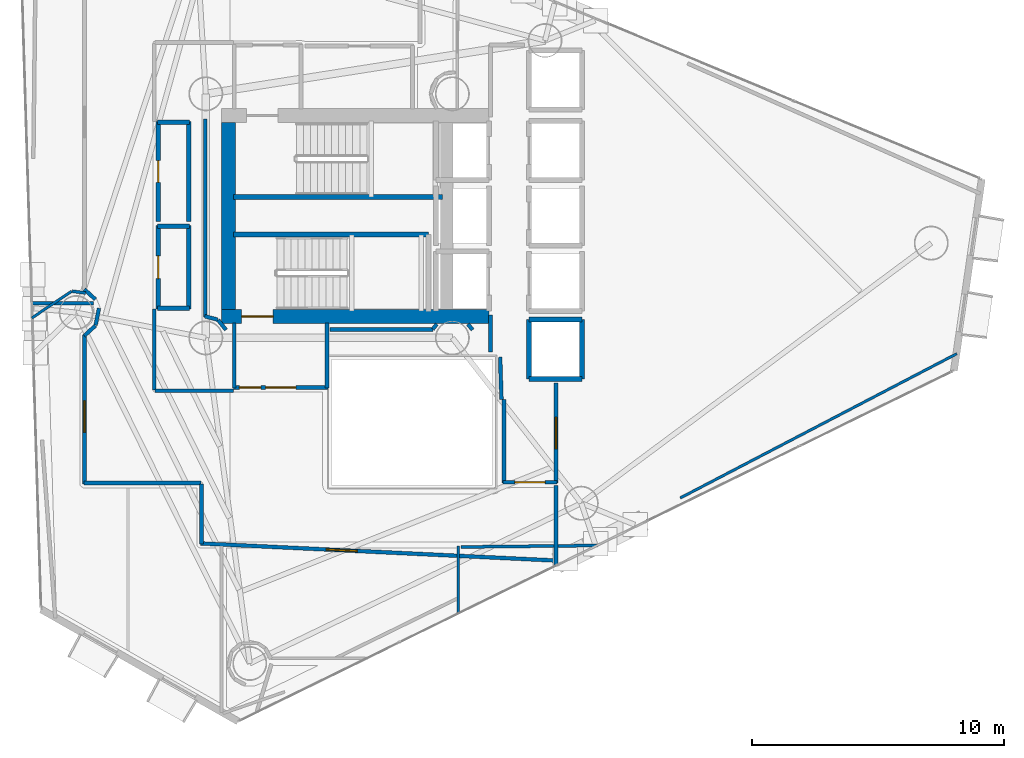
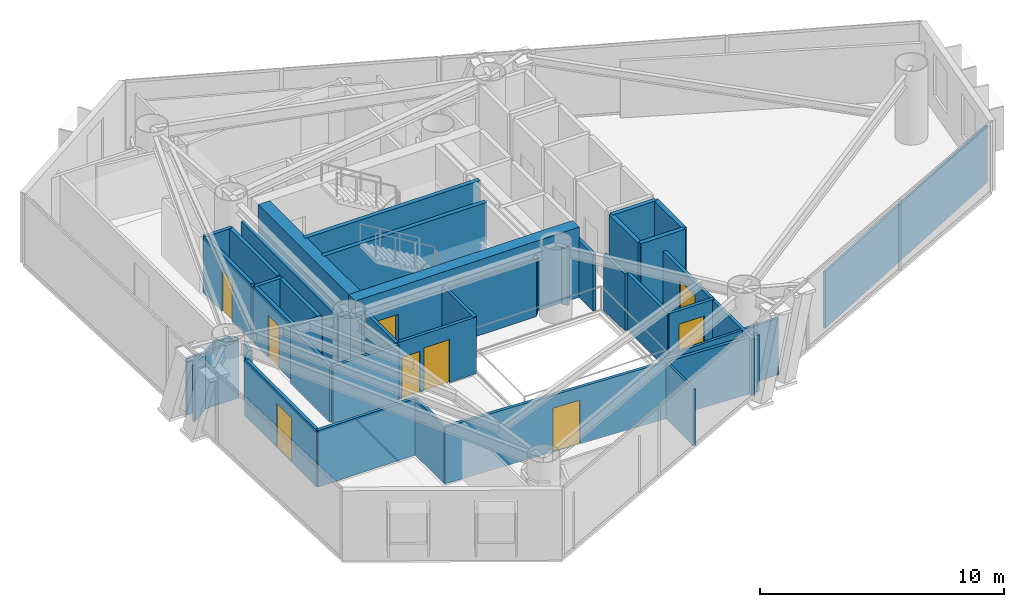
# One storey, part 19 of 23: 45 walls, 9 doors, 9 openings.
"""IFC4 building model written with IfcOpenShell, lengths in metres."""

from ifc_helpers import new_model, si_unit, direction, frame, frame_2d, origin, place, context, subcontext, project, spatial, rectangle, extrude, material, layer, layer_set, type_object, element, fill, save


model = new_model("IFC4")

# Units and contexts
model_context = context("Model", 3, precision=1e-05, world=origin(), true_north=direction((0.0, 1.0)))
body_context = subcontext(model_context, "Body", "Model", "MODEL_VIEW")
ifc_project = project(units=[si_unit("LENGTHUNIT", "METRE"), si_unit("AREAUNIT", "SQUARE_METRE"), si_unit("VOLUMEUNIT", "CUBIC_METRE"), si_unit("PLANEANGLEUNIT", "RADIAN"), si_unit("MASSUNIT", "GRAM", prefix="KILO")], contexts=[model_context])

# Site, building, storey
site_placement = place(None, origin())
site = spatial("IfcSite", under=ifc_project, at=site_placement, CompositionType="ELEMENT")
building_placement = place(site_placement, origin())
building = spatial("IfcBuilding", under=site, at=building_placement, Name="Qianvela Tower", CompositionType="ELEMENT")
storey_placement = place(building_placement, frame((0.0, 0.0, 162.39990234375)))
storey = spatial("IfcBuildingStorey", under=building, at=storey_placement, Name="L41", CompositionType="ELEMENT", Elevation=162.39990234375)

# Wall, opening, door
ifc_material_1 = material(Name="Concrete C60", Category="concrete")
ifc_layer_1 = layer(ifc_material_1, 0.550048828125)
ifc_layer_set_1 = layer_set([ifc_layer_1], Name="Concrete C60")
wall_type_1 = type_object("IfcWallType", Name="WT-CORE-550", PredefinedType="SHEAR", material=ifc_layer_set_1)
wall_1_placement = place(storey_placement, frame((29.22998046875, 24.705078125, 0.0), z_axis=(0.0, 0.0, 1.0), x_axis=(1.0, 0.0, 0.0)))
wall_1 = element("IfcWall", 1, at=wall_1_placement, inside=storey, type_object=wall_type_1, Name="L41 South Core Shear Wall", PredefinedType="SHEAR", context=body_context, shape_type="SweptSolid", body=[
    extrude(rectangle(XDim=10.6201171875, YDim=0.550048828125, at=frame_2d((5.31005859375, 0.0))), origin(), (0.0, 0.0, 1.0), 3.52001953125),
])
opening_1_placement = place(wall_1_placement, frame((0.794921875, 0.0, 0.0)))
opening_1 = element("IfcOpeningElement", 2, at=opening_1_placement, cuts=wall_1, Name="Opening D-ST1", PredefinedType="OPENING", context=body_context, shape_type="SweptSolid", body=[
    extrude(rectangle(XDim=1.25, YDim=2.14990234375, at=frame_2d((0.625, 1.074951171875))), frame((0.0, 0.284912109375, 0.0), z_axis=(0.0, -1.0, 0.0), x_axis=(1.0, 0.0, 0.0)), (0.0, 0.0, 1.0), 0.570068359375),
])
ifc_material_2 = material(Name="Galvanised Fire Steel Q355B", Category="steel")
door_type_1 = type_object("IfcDoorType", Name="DT-STAIR-FD90", OperationType="NOTDEFINED", PredefinedType="DOOR", material=ifc_material_2)
door_1_placement = place(opening_1_placement, origin())
door_1 = element("IfcDoor", 3, at=door_1_placement, inside=storey, type_object=door_type_1, Name="L41 Stair ST-2 Exit Door", OperationType="SINGLE_SWING_LEFT", OverallHeight=2.14990234375, OverallWidth=1.25, PredefinedType="DOOR", context=body_context, shape_type="SweptSolid", body=[
    extrude(rectangle(XDim=1.25, YDim=2.14990234375, at=frame_2d((0.625, 1.074951171875))), frame((0.0, 0.02490234375, 0.0), z_axis=(0.0, -1.0, 0.0), x_axis=(1.0, 0.0, 0.0)), (0.0, 0.0, 1.0), 0.050048828125),
])
fill(opening_1, door_1)

# Wall
wall_2_placement = place(storey_placement, frame((29.5048828125, 24.97998046875, 0.0), z_axis=(0.0, 0.0, 1.0), x_axis=(0.0, 1.0, 0.0)))
element("IfcWall", 4, at=wall_2_placement, inside=storey, type_object=wall_type_1, Name="L41 West Core Shear Wall", PredefinedType="SHEAR", context=body_context, shape_type="SweptSolid", body=[
    extrude(rectangle(XDim=7.43994140625, YDim=0.550048828125, at=frame_2d((3.719970703125, 0.0))), origin(), (0.0, 0.0, 1.0), 3.52001953125),
])

# Wall, openings, doors
ifc_material_3 = material(Name="Fire-Rated Acoustic Gypsum Board")
ifc_layer_2 = layer(ifc_material_3, 0.14990234375)
ifc_layer_set_2 = layer_set([ifc_layer_2], Name="Fire-Rated Acoustic Gypsum Board")
wall_type_2 = type_object("IfcWallType", Name="WT-CORR-150", PredefinedType="PARTITIONING", material=ifc_layer_set_2)
wall_3_placement = place(storey_placement, frame((33.449951171875, 21.881103515625, 0.0), z_axis=(0.0, 0.0, 1.0), x_axis=(-1.0, 0.0, 0.0)))
wall_3 = element("IfcWall", 5, at=wall_3_placement, inside=storey, type_object=wall_type_2, Name="L41 Partition 5", PredefinedType="PARTITIONING", context=body_context, shape_type="SweptSolid", body=[
    extrude(rectangle(XDim=3.75, YDim=0.14990234375, at=frame_2d((1.875, 0.0))), origin(), (0.0, 0.0, 1.0), 2.840087890625),
])
opening_2_placement = place(wall_3_placement, frame((1.27490234375, 0.0, 0.0)))
opening_2 = element("IfcOpeningElement", 6, at=opening_2_placement, cuts=wall_3, Name="Opening D-LB1", PredefinedType="OPENING", context=body_context, shape_type="SweptSolid", body=[
    extrude(rectangle(XDim=1.199951171875, YDim=2.14990234375, at=frame_2d((0.60009765625, 1.074951171875))), frame((0.0, 0.0849609375, 0.0), z_axis=(0.0, -1.0, 0.0), x_axis=(1.0, 0.0, 0.0)), (0.0, 0.0, 1.0), 0.169921875),
])
opening_3_placement = place(wall_3_placement, frame((2.659912109375, 0.0, 0.0)))
opening_3 = element("IfcOpeningElement", 7, at=opening_3_placement, cuts=wall_3, Name="Opening D-LB2", PredefinedType="OPENING", context=body_context, shape_type="SweptSolid", body=[
    extrude(rectangle(XDim=0.860107421875, YDim=2.050048828125, at=frame_2d((0.43017578125, 1.02490234375))), frame((0.0, 0.0849609375, 0.0), z_axis=(0.0, -1.0, 0.0), x_axis=(1.0, 0.0, 0.0)), (0.0, 0.0, 1.0), 0.169921875),
])
ifc_material_4 = material(Name="Glazed Fire-Rated Steel Frame", Category="steel")
door_type_2 = type_object("IfcDoorType", Name="DT-LOBBY-FD90", OperationType="NOTDEFINED", PredefinedType="DOOR", material=ifc_material_4)
door_2_placement = place(opening_2_placement, origin())
door_2 = element("IfcDoor", 8, at=door_2_placement, inside=storey, type_object=door_type_2, Name="L41 Door L41 Firefighting Lobby South to L41 Floor Corridor", OperationType="SINGLE_SWING_RIGHT", OverallHeight=2.14990234375, OverallWidth=1.199951171875, PredefinedType="DOOR", context=body_context, shape_type="SweptSolid", body=[
    extrude(rectangle(XDim=1.199951171875, YDim=2.14990234375, at=frame_2d((0.60009765625, 1.074951171875))), frame((0.0, 0.02490234375, 0.0), z_axis=(0.0, -1.0, 0.0), x_axis=(1.0, 0.0, 0.0)), (0.0, 0.0, 1.0), 0.050048828125),
])
fill(opening_2, door_2)
ifc_material_5 = material(Name="Insulated Steel Fire Door Q355B", Category="steel")
door_type_3 = type_object("IfcDoorType", Name="DT-LOBBY-FD90-860", OperationType="NOTDEFINED", PredefinedType="DOOR", material=ifc_material_5)
door_3_placement = place(opening_3_placement, origin())
door_3 = element("IfcDoor", 9, at=door_3_placement, inside=storey, type_object=door_type_3, Name="L41 Door L41 Firefighting Lobby South to L41 Floor Corridor", OperationType="SINGLE_SWING_RIGHT", OverallHeight=2.050048828125, OverallWidth=0.860107421875, PredefinedType="DOOR", context=body_context, shape_type="SweptSolid", body=[
    extrude(rectangle(XDim=0.860107421875, YDim=2.050048828125, at=frame_2d((0.43017578125, 1.02490234375))), frame((0.0, 0.02490234375, 0.0), z_axis=(0.0, -1.0, 0.0), x_axis=(1.0, 0.0, 0.0)), (0.0, 0.0, 1.0), 0.050048828125),
])
fill(opening_3, door_3)

# Walls
for number, where, z_axis, x_axis, name in (
    (10, (29.73095703125, 21.85009765625, 0.0), (0.0, 0.0, 1.0), (0.0, 1.0, 0.0), "L41 Partition 6"),
    (11, (33.4189453125, 24.44189453125, 0.0), (0.0, 0.0, 1.0), (0.0, -1.0, 0.0), "L41 Partition 8"),
):
    element("IfcWall", number, at=place(storey_placement, frame(where, z_axis=z_axis, x_axis=x_axis)), inside=storey, type_object=wall_type_2, Name=name, PredefinedType="PARTITIONING", context=body_context, shape_type="SweptSolid", body=[
        extrude(rectangle(XDim=2.591796875, YDim=0.14990234375, at=frame_2d((1.2958984375, 0.0))), origin(), (0.0, 0.0, 1.0), 2.840087890625),
    ])
wall_4_placement = place(storey_placement, frame((40.35107421875, 21.40087890625, 0.0), z_axis=(0.0, 0.0, 1.0), x_axis=(-0.031058045979, 0.999517582527, 0.0)))
element("IfcWall", 12, at=wall_4_placement, inside=storey, type_object=wall_type_2, Name="L41 Partition 9", PredefinedType="PARTITIONING", context=body_context, shape_type="SweptSolid", body=[
    extrude(rectangle(XDim=1.68212890625, YDim=0.14990234375, at=frame_2d((0.841064453125, 0.0))), origin(), (0.0, 0.0, 1.0), 2.840087890625),
])
wall_5_placement = place(storey_placement, frame((39.910888671875, 23.280029296875, 0.0), z_axis=(0.0, 0.0, 1.0), x_axis=(0.0, 1.0, 0.0)))
element("IfcWall", 13, at=wall_5_placement, inside=storey, type_object=wall_type_2, Name="L41 Partition 10", PredefinedType="PARTITIONING", context=body_context, shape_type="SweptSolid", body=[
    extrude(rectangle(XDim=1.47998046875, YDim=0.14990234375, at=frame_2d((0.739990234375, 0.0))), origin(), (0.0, 0.0, 1.0), 2.840087890625),
])

# Wall, opening, door
wall_6_placement = place(storey_placement, frame((42.51904296875, 22.050048828125, 0.0), z_axis=(0.0, 0.0, 1.0), x_axis=(0.0, -1.0, 0.0)))
wall_6 = element("IfcWall", 14, at=wall_6_placement, inside=storey, type_object=wall_type_2, Name="L41 Partition 17", PredefinedType="PARTITIONING", context=body_context, shape_type="SweptSolid", body=[
    extrude(rectangle(XDim=3.969970703125, YDim=0.14990234375, at=frame_2d((1.98486328125, 0.0))), origin(), (0.0, 0.0, 1.0), 2.840087890625),
])
opening_4_placement = place(wall_6_placement, frame((1.360107421875, 0.0, 0.0)))
opening_4 = element("IfcOpeningElement", 15, at=opening_4_placement, cuts=wall_6, Name="Opening D-LG1", PredefinedType="OPENING", context=body_context, shape_type="SweptSolid", body=[
    extrude(rectangle(XDim=1.25, YDim=2.199951171875, at=frame_2d((0.625, 1.10009765625))), frame((0.0, 0.0849609375, 0.0), z_axis=(0.0, -1.0, 0.0), x_axis=(1.0, 0.0, 0.0)), (0.0, 0.0, 1.0), 0.169921875),
])
ifc_material_6 = material(Name="Anodised Aluminium Acoustic Glass Door", Category="aluminium")
door_type_4 = type_object("IfcDoorType", Name="DT-LOUNGE-1250", OperationType="NOTDEFINED", PredefinedType="DOOR", material=ifc_material_6)
door_4_placement = place(opening_4_placement, origin())
door_4 = element("IfcDoor", 16, at=door_4_placement, inside=storey, type_object=door_type_4, Name="L41 Door Media Practice Cinema L41-03 to L41 Lift Lobby", OperationType="SINGLE_SWING_LEFT", OverallHeight=2.199951171875, OverallWidth=1.25, PredefinedType="DOOR", context=body_context, shape_type="SweptSolid", body=[
    extrude(rectangle(XDim=1.25, YDim=2.199951171875, at=frame_2d((0.625, 1.10009765625))), frame((0.0, 0.02490234375, 0.0), z_axis=(0.0, -1.0, 0.0), x_axis=(1.0, 0.0, 0.0)), (0.0, 0.0, 1.0), 0.050048828125),
])
fill(opening_4, door_4)

wall_7_placement = place(storey_placement, frame((42.550048828125, 18.111083984375, 0.0), z_axis=(0.0, 0.0, 1.0), x_axis=(-1.0, 0.0, 0.0)))
wall_7 = element("IfcWall", 17, at=wall_7_placement, inside=storey, type_object=wall_type_2, Name="L41 Partition 18", PredefinedType="PARTITIONING", context=body_context, shape_type="SweptSolid", body=[
    extrude(rectangle(XDim=2.130126953125, YDim=0.14990234375, at=frame_2d((1.06494140625, 0.0))), origin(), (0.0, 0.0, 1.0), 2.840087890625),
])
opening_5_placement = place(wall_7_placement, frame((0.465087890625, 0.0, 0.0)))
opening_5 = element("IfcOpeningElement", 18, at=opening_5_placement, cuts=wall_7, Name="Opening D-LB1", PredefinedType="OPENING", context=body_context, shape_type="SweptSolid", body=[
    extrude(rectangle(XDim=1.199951171875, YDim=2.14990234375, at=frame_2d((0.60009765625, 1.074951171875))), frame((0.0, 0.0849609375, 0.0), z_axis=(0.0, -1.0, 0.0), x_axis=(1.0, 0.0, 0.0)), (0.0, 0.0, 1.0), 0.169921875),
])
door_5_placement = place(opening_5_placement, origin())
door_5 = element("IfcDoor", 19, at=door_5_placement, inside=storey, type_object=door_type_2, Name="L41 Door L41 Lift Lobby to L41 Floor Corridor", OperationType="SINGLE_SWING_LEFT", OverallHeight=2.14990234375, OverallWidth=1.199951171875, PredefinedType="DOOR", context=body_context, shape_type="SweptSolid", body=[
    extrude(rectangle(XDim=1.199951171875, YDim=2.14990234375, at=frame_2d((0.60009765625, 1.074951171875))), frame((0.0, 0.02490234375, 0.0), z_axis=(0.0, -1.0, 0.0), x_axis=(1.0, 0.0, 0.0)), (0.0, 0.0, 1.0), 0.050048828125),
])
fill(opening_5, door_5)

# Walls
wall_8_placement = place(storey_placement, frame((40.450927734375, 18.080078125, 0.0), z_axis=(0.0, 0.0, 1.0), x_axis=(0.0, 1.0, 0.0)))
element("IfcWall", 20, at=wall_8_placement, inside=storey, type_object=wall_type_2, Name="L41 Partition 19 seg 1", PredefinedType="PARTITIONING", context=body_context, shape_type="SweptSolid", body=[
    extrude(rectangle(XDim=3.31982421875, YDim=0.14990234375, at=frame_2d((1.659912109375, 0.0))), origin(), (0.0, 0.0, 1.0), 2.840087890625),
])
wall_9_placement = place(storey_placement, frame((29.401611328125, 24.169189453125, 0.0), z_axis=(0.0, 0.0, 1.0), x_axis=(-0.622091855036, 0.782944266151, 0.0)))
element("IfcWall", 21, at=wall_9_placement, inside=storey, type_object=wall_type_2, Name="L41 Partition 36", PredefinedType="PARTITIONING", context=body_context, shape_type="SweptSolid", body=[
    extrude(rectangle(XDim=0.50390625, YDim=0.14990234375, at=frame_2d((0.251953125, 0.0))), origin(), (0.0, 0.0, 1.0), 2.840087890625),
])
wall_10_placement = place(storey_placement, frame((29.07177734375, 24.57421875, 0.0), z_axis=(0.0, 0.0, 1.0), x_axis=(-0.966842101769, 0.255374920942, 0.0)))
element("IfcWall", 22, at=wall_10_placement, inside=storey, type_object=wall_type_2, Name="L41 Partition 37", PredefinedType="PARTITIONING", context=body_context, shape_type="SweptSolid", body=[
    extrude(rectangle(XDim=0.531494140625, YDim=0.14990234375, at=frame_2d((0.265625, 0.0))), origin(), (0.0, 0.0, 1.0), 2.840087890625),
])
wall_11_placement = place(storey_placement, frame((28.5810546875, 24.68017578125, 0.0), z_axis=(0.0, 0.0, 1.0), x_axis=(0.0, 1.0, 0.0)))
element("IfcWall", 23, at=wall_11_placement, inside=storey, type_object=wall_type_2, Name="L41 Partition 38", PredefinedType="PARTITIONING", context=body_context, shape_type="SweptSolid", body=[
    extrude(rectangle(XDim=7.869873046875, YDim=0.14990234375, at=frame_2d((3.93505859375, 0.0))), origin(), (0.0, 0.0, 1.0), 2.840087890625),
])
wall_12_placement = place(storey_placement, frame((39.20166015625, 24.169189453125, 0.0), z_axis=(0.0, 0.0, 1.0), x_axis=(-0.622453876994, 0.782656483405, 0.0)))
element("IfcWall", 24, at=wall_12_placement, inside=storey, type_object=wall_type_2, Name="L41 Partition 43", PredefinedType="PARTITIONING", context=body_context, shape_type="SweptSolid", body=[
    extrude(rectangle(XDim=0.29248046875, YDim=0.14990234375, at=frame_2d((0.146240234375, 0.0))), origin(), (0.0, 0.0, 1.0), 2.840087890625),
])
wall_13_placement = place(storey_placement, frame((37.780517578125, 24.398193359375, 0.0), z_axis=(0.0, 0.0, 1.0), x_axis=(-0.622697708845, -0.782462499676, 0.0)))
element("IfcWall", 25, at=wall_13_placement, inside=storey, type_object=wall_type_2, Name="L41 Partition 46", PredefinedType="PARTITIONING", context=body_context, shape_type="SweptSolid", body=[
    extrude(rectangle(XDim=0.253662109375, YDim=0.14990234375, at=frame_2d((0.126953125, 0.0))), origin(), (0.0, 0.0, 1.0), 2.840087890625),
])
wall_14_placement = place(storey_placement, frame((37.62255859375, 24.180908203125, 0.0), z_axis=(0.0, 0.0, 1.0), x_axis=(-1.0, 0.0, 0.0)))
element("IfcWall", 26, at=wall_14_placement, inside=storey, type_object=wall_type_2, Name="L41 Partition 47", PredefinedType="PARTITIONING", context=body_context, shape_type="SweptSolid", body=[
    extrude(rectangle(XDim=4.092529296875, YDim=0.14990234375, at=frame_2d((2.04638671875, 0.0))), origin(), (0.0, 0.0, 1.0), 2.840087890625),
])
wall_15_placement = place(storey_placement, frame((24.211181640625, 25.37890625, 0.0), z_axis=(0.0, 0.0, 1.0), x_axis=(-0.735475561179, 0.677551251868, 0.0)))
element("IfcWall", 27, at=wall_15_placement, inside=storey, type_object=wall_type_2, Name="L41 Partition 48", PredefinedType="PARTITIONING", context=body_context, shape_type="SweptSolid", body=[
    extrude(rectangle(XDim=0.598388671875, YDim=0.14990234375, at=frame_2d((0.29931640625, 0.0))), origin(), (0.0, 0.0, 1.0), 2.840087890625),
])
wall_16_placement = place(storey_placement, frame((26.549072265625, 25.0, 0.0), z_axis=(0.0, 0.0, 1.0), x_axis=(0.0, -1.0, 0.0)))
element("IfcWall", 28, at=wall_16_placement, inside=storey, type_object=wall_type_2, Name="L41 Partition 53 seg 3", PredefinedType="PARTITIONING", context=body_context, shape_type="SweptSolid", body=[
    extrude(rectangle(XDim=3.219970703125, YDim=0.14990234375, at=frame_2d((1.60986328125, 0.0))), origin(), (0.0, 0.0, 1.0), 2.840087890625),
])
wall_17_placement = place(storey_placement, frame((26.580078125, 21.7490234375, 0.0), z_axis=(0.0, 0.0, 1.0), x_axis=(1.0, 0.0, 0.0)))
element("IfcWall", 29, at=wall_17_placement, inside=storey, type_object=wall_type_2, Name="L41 Partition 54 seg 1", PredefinedType="PARTITIONING", context=body_context, shape_type="SweptSolid", body=[
    extrude(rectangle(XDim=3.119873046875, YDim=0.14990234375, at=frame_2d((1.56005859375, 0.0))), origin(), (0.0, 0.0, 1.0), 2.840087890625),
])
wall_18_placement = place(storey_placement, frame((42.51904296875, 17.97998046875, 0.0), z_axis=(0.0, 0.0, 1.0), x_axis=(0.0, -1.0, 0.0)))
element("IfcWall", 30, at=wall_18_placement, inside=storey, type_object=wall_type_2, Name="L41 Partition 56 seg 1", PredefinedType="PARTITIONING", context=body_context, shape_type="SweptSolid", body=[
    extrude(rectangle(XDim=3.201171875, YDim=0.14990234375, at=frame_2d((1.6005859375, 0.0))), origin(), (0.0, 0.0, 1.0), 2.840087890625),
])

# Wall, opening, door
wall_19_placement = place(storey_placement, frame((42.892578125, 14.98193359375, 0.0), z_axis=(0.0, 0.0, 1.0), x_axis=(-0.9988389824, 0.048173511786, 0.0)))
wall_19 = element("IfcWall", 31, at=wall_19_placement, inside=storey, type_object=wall_type_2, Name="L41 Partition 57", PredefinedType="PARTITIONING", context=body_context, shape_type="SweptSolid", body=[
    extrude(rectangle(XDim=14.509521484375, YDim=0.14990234375, at=frame_2d((7.2548828125, 0.0))), origin(), (0.0, 0.0, 1.0), 2.840087890625),
])
opening_6_placement = place(wall_19_placement, frame((8.274169921875, 0.0, 0.0)))
opening_6 = element("IfcOpeningElement", 32, at=opening_6_placement, cuts=wall_19, Name="Opening D-LG1", PredefinedType="OPENING", context=body_context, shape_type="SweptSolid", body=[
    extrude(rectangle(XDim=1.25, YDim=2.199951171875, at=frame_2d((0.625, 1.10009765625))), frame((0.0, 0.0849609375, 0.0), z_axis=(0.0, -1.0, 0.0), x_axis=(1.0, 0.0, 0.0)), (0.0, 0.0, 1.0), 0.169921875),
])
door_6_placement = place(opening_6_placement, origin())
door_6 = element("IfcDoor", 33, at=door_6_placement, inside=storey, type_object=door_type_4, Name="L41 Door Student Reading Library L41-02 to L41 Floor Corridor", OperationType="SINGLE_SWING_RIGHT", OverallHeight=2.199951171875, OverallWidth=1.25, PredefinedType="DOOR", context=body_context, shape_type="SweptSolid", body=[
    extrude(rectangle(XDim=1.25, YDim=2.199951171875, at=frame_2d((0.625, 1.10009765625))), frame((0.0, 0.02490234375, 0.0), z_axis=(0.0, -1.0, 0.0), x_axis=(1.0, 0.0, 0.0)), (0.0, 0.0, 1.0), 0.050048828125),
])
fill(opening_6, door_6)

# Walls
wall_20_placement = place(storey_placement, frame((28.430908203125, 15.64990234375, 0.0), z_axis=(0.0, 0.0, 1.0), x_axis=(0.0, 1.0, 0.0)))
element("IfcWall", 34, at=wall_20_placement, inside=storey, type_object=wall_type_2, Name="L41 Partition 58", PredefinedType="PARTITIONING", context=body_context, shape_type="SweptSolid", body=[
    extrude(rectangle(XDim=2.400146484375, YDim=0.14990234375, at=frame_2d((1.2001953125, 0.0))), origin(), (0.0, 0.0, 1.0), 2.840087890625),
])
wall_21_placement = place(storey_placement, frame((28.39990234375, 18.0810546875, 0.0), z_axis=(0.0, 0.0, 1.0), x_axis=(-1.0, 0.0, 0.0)))
element("IfcWall", 35, at=wall_21_placement, inside=storey, type_object=wall_type_2, Name="L41 Partition 59", PredefinedType="PARTITIONING", context=body_context, shape_type="SweptSolid", body=[
    extrude(rectangle(XDim=4.64990234375, YDim=0.14990234375, at=frame_2d((2.324951171875, 0.0))), origin(), (0.0, 0.0, 1.0), 2.840087890625),
])

# Wall, opening, door
wall_22_placement = place(storey_placement, frame((23.781005859375, 18.050048828125, 0.0), z_axis=(0.0, 0.0, 1.0), x_axis=(0.0, 1.0, 0.0)))
wall_22 = element("IfcWall", 36, at=wall_22_placement, inside=storey, type_object=wall_type_2, Name="L41 Partition 60", PredefinedType="PARTITIONING", context=body_context, shape_type="SweptSolid", body=[
    extrude(rectangle(XDim=5.90625, YDim=0.14990234375, at=frame_2d((2.953125, 0.0))), origin(), (0.0, 0.0, 1.0), 2.840087890625),
])
opening_7_placement = place(wall_22_placement, frame((2.048095703125, 0.0, 0.0)))
opening_7 = element("IfcOpeningElement", 37, at=opening_7_placement, cuts=wall_22, Name="Opening D-LG1", PredefinedType="OPENING", context=body_context, shape_type="SweptSolid", body=[
    extrude(rectangle(XDim=1.25, YDim=2.199951171875, at=frame_2d((0.625, 1.10009765625))), frame((0.0, 0.0849609375, 0.0), z_axis=(0.0, -1.0, 0.0), x_axis=(1.0, 0.0, 0.0)), (0.0, 0.0, 1.0), 0.169921875),
])
door_7_placement = place(opening_7_placement, origin())
door_7 = element("IfcDoor", 38, at=door_7_placement, inside=storey, type_object=door_type_4, Name="L41 Door Maker Craft Workshop L41-01 to L41 Floor Corridor", OperationType="SINGLE_SWING_LEFT", OverallHeight=2.199951171875, OverallWidth=1.25, PredefinedType="DOOR", context=body_context, shape_type="SweptSolid", body=[
    extrude(rectangle(XDim=1.25, YDim=2.199951171875, at=frame_2d((0.625, 1.10009765625))), frame((0.0, 0.02490234375, 0.0), z_axis=(0.0, -1.0, 0.0), x_axis=(1.0, 0.0, 0.0)), (0.0, 0.0, 1.0), 0.050048828125),
])
fill(opening_7, door_7)

# Walls
wall_23_placement = place(storey_placement, frame((23.77099609375, 23.93359375, 0.0), z_axis=(0.0, 0.0, 1.0), x_axis=(0.735475561179, 0.677551251868, 0.0)))
element("IfcWall", 39, at=wall_23_placement, inside=storey, type_object=wall_type_2, Name="L41 Partition 61", PredefinedType="PARTITIONING", context=body_context, shape_type="SweptSolid", body=[
    extrude(rectangle(XDim=0.598388671875, YDim=0.14990234375, at=frame_2d((0.29931640625, 0.0))), origin(), (0.0, 0.0, 1.0), 2.840087890625),
])
wall_24_placement = place(storey_placement, frame((24.220703125, 24.355712890625, 0.0), z_axis=(0.0, 0.0, 1.0), x_axis=(0.19495084259, 0.980813014276, 0.0)))
element("IfcWall", 40, at=wall_24_placement, inside=storey, type_object=wall_type_2, Name="L41 Partition 62", PredefinedType="PARTITIONING", context=body_context, shape_type="SweptSolid", body=[
    extrude(rectangle(XDim=0.68505859375, YDim=0.14990234375, at=frame_2d((0.342529296875, 0.0))), origin(), (0.0, 0.0, 1.0), 2.840087890625),
])
ifc_material_7 = material(Name="Lightweight Gypsum Room Partition")
ifc_layer_3 = layer(ifc_material_7, 0.10498046875)
ifc_layer_set_3 = layer_set([ifc_layer_3], Name="Lightweight Gypsum Room Partition")
wall_type_3 = type_object("IfcWallType", Name="WT-PART-105", PredefinedType="PARTITIONING", material=ifc_layer_set_3)
wall_25_placement = place(storey_placement, frame((38.626953125, 15.570068359375, 0.0), z_axis=(0.0, 0.0, 1.0), x_axis=(0.0, -1.0, 0.0)))
element("IfcWall", 41, at=wall_25_placement, inside=storey, type_object=wall_type_3, Name="L41 Partition 88", PredefinedType="PARTITIONING", context=body_context, shape_type="SweptSolid", body=[
    extrude(rectangle(XDim=2.698974609375, YDim=0.10498046875, at=frame_2d((1.349609375, 0.0))), origin(), (0.0, 0.0, 1.0), 2.840087890625),
])
wall_26_placement = place(storey_placement, frame((58.45458984375, 23.223876953125, 0.0), z_axis=(0.0, 0.0, 1.0), x_axis=(-0.886608354829, -0.462520945632, 0.0)))
element("IfcWall", 42, at=wall_26_placement, inside=storey, type_object=wall_type_3, Name="L41 Partition 97 seg 1", PredefinedType="PARTITIONING", context=body_context, shape_type="SweptSolid", body=[
    extrude(rectangle(XDim=12.406005859375, YDim=0.10498046875, at=frame_2d((6.203125, 0.0))), origin(), (0.0, 0.0, 1.0), 2.840087890625),
])
wall_27_placement = place(storey_placement, frame((23.265869140625, 25.70361328125, 0.0), z_axis=(0.0, 0.0, 1.0), x_axis=(-0.830193182511, -0.557475810876, 0.0)))
element("IfcWall", 43, at=wall_27_placement, inside=storey, type_object=wall_type_3, Name="L41 Partition 121", PredefinedType="PARTITIONING", context=body_context, shape_type="SweptSolid", body=[
    extrude(rectangle(XDim=1.906005859375, YDim=0.10498046875, at=frame_2d((0.953125, 0.0))), origin(), (0.0, 0.0, 1.0), 2.840087890625),
])
ifc_material_8 = material(Name="Insulated Gypsum Stud Partition")
ifc_layer_4 = layer(ifc_material_8, 0.1201171875)
ifc_layer_set_4 = layer_set([ifc_layer_4], Name="Insulated Gypsum Stud Partition")
wall_type_4 = type_object("IfcWallType", Name="WT-PART-120", PredefinedType="PARTITIONING", material=ifc_layer_set_4)
wall_28_placement = place(storey_placement, frame((21.66259765625, 25.22705078125, 0.0), z_axis=(0.0, 0.0, 1.0), x_axis=(1.0, 0.0, 0.0)))
element("IfcWall", 44, at=wall_28_placement, inside=storey, type_object=wall_type_4, Name="L41 Partition 63", PredefinedType="PARTITIONING", context=body_context, shape_type="SweptSolid", body=[
    extrude(rectangle(XDim=2.481689453125, YDim=0.1201171875, at=frame_2d((1.24072265625, 0.0))), origin(), (0.0, 0.0, 1.0), 2.840087890625),
])
wall_29_placement = place(storey_placement, frame((38.7421875, 15.5390625, 0.0), z_axis=(0.0, 0.0, 1.0), x_axis=(0.999940745371, 0.010886034477, 0.0)))
element("IfcWall", 45, at=wall_29_placement, inside=storey, type_object=wall_type_4, Name="L41 Partition 99", PredefinedType="PARTITIONING", context=body_context, shape_type="SweptSolid", body=[
    extrude(rectangle(XDim=5.42724609375, YDim=0.1201171875, at=frame_2d((2.713623046875, 0.0))), origin(), (0.0, 0.0, 1.0), 2.840087890625),
])
wall_30_placement = place(storey_placement, frame((23.823486328125, 25.63232421875, 0.0), z_axis=(0.0, 0.0, 1.0), x_axis=(-0.99004848034, 0.140726708823, 0.0)))
element("IfcWall", 46, at=wall_30_placement, inside=storey, type_object=wall_type_4, Name="L41 Partition 120", PredefinedType="PARTITIONING", context=body_context, shape_type="SweptSolid", body=[
    extrude(rectangle(XDim=0.541259765625, YDim=0.1201171875, at=frame_2d((0.2705078125, 0.0))), origin(), (0.0, 0.0, 1.0), 2.840087890625),
])

# Wall, opening, door
ifc_material_9 = material(Name="Sanitary Service Chase Partition")
ifc_layer_5 = layer(ifc_material_9, 0.1650390625)
ifc_layer_set_5 = layer_set([ifc_layer_5], Name="Sanitary Service Chase Partition")
wall_type_5 = type_object("IfcWallType", Name="WT-PLUMB-165", PredefinedType="PLUMBINGWALL", material=ifc_layer_set_5)
wall_31_placement = place(storey_placement, frame((26.7109375, 25.0, 0.0), z_axis=(0.0, 0.0, 1.0), x_axis=(0.0, 1.0, 0.0)))
wall_31 = element("IfcWall", 47, at=wall_31_placement, inside=storey, type_object=wall_type_5, Name="L41 Partition 24", PredefinedType="PLUMBINGWALL", context=body_context, shape_type="SweptSolid", body=[
    extrude(rectangle(XDim=3.320068359375, YDim=0.1650390625, at=frame_2d((1.66015625, 0.0))), origin(), (0.0, 0.0, 1.0), 2.840087890625),
])
opening_8_placement = place(wall_31_placement, frame((1.2099609375, 0.0, 0.0)))
opening_8 = element("IfcOpeningElement", 48, at=opening_8_placement, cuts=wall_31, Name="Opening D-KT1", PredefinedType="OPENING", context=body_context, shape_type="SweptSolid", body=[
    extrude(rectangle(XDim=0.89990234375, YDim=2.10009765625, at=frame_2d((0.449951171875, 1.050048828125))), frame((0.0, 0.092529296875, 0.0), z_axis=(0.0, -1.0, 0.0), x_axis=(1.0, 0.0, 0.0)), (0.0, 0.0, 1.0), 0.18505859375),
])
ifc_material_10 = material(Name="Glazed Timber Kitchen Door", Category="wood")
door_type_5 = type_object("IfcDoorType", Name="DT-KITCH-900", OperationType="NOTDEFINED", PredefinedType="DOOR", material=ifc_material_10)
door_8_placement = place(opening_8_placement, origin())
door_8 = element("IfcDoor", 49, at=door_8_placement, inside=storey, type_object=door_type_5, Name="L41 Door L41 Core Tea Pantry West to L41 Floor Corridor", OperationType="SINGLE_SWING_LEFT", OverallHeight=2.10009765625, OverallWidth=0.89990234375, PredefinedType="DOOR", context=body_context, shape_type="SweptSolid", body=[
    extrude(rectangle(XDim=0.89990234375, YDim=2.10009765625, at=frame_2d((0.449951171875, 1.050048828125))), frame((0.0, 0.02490234375, 0.0), z_axis=(0.0, -1.0, 0.0), x_axis=(1.0, 0.0, 0.0)), (0.0, 0.0, 1.0), 0.050048828125),
])
fill(opening_8, door_8)

# Walls
wall_32_placement = place(storey_placement, frame((26.679931640625, 28.2890625, 0.0), z_axis=(0.0, 0.0, 1.0), x_axis=(1.0, 0.0, 0.0)))
element("IfcWall", 50, at=wall_32_placement, inside=storey, type_object=wall_type_5, Name="L41 Partition 25", PredefinedType="PLUMBINGWALL", context=body_context, shape_type="SweptSolid", body=[
    extrude(rectangle(XDim=1.27001953125, YDim=0.1650390625, at=frame_2d((0.635009765625, 0.0))), origin(), (0.0, 0.0, 1.0), 2.840087890625),
])
wall_33_placement = place(storey_placement, frame((27.9189453125, 28.320068359375, 0.0), z_axis=(0.0, 0.0, 1.0), x_axis=(0.0, -1.0, 0.0)))
element("IfcWall", 51, at=wall_33_placement, inside=storey, type_object=wall_type_5, Name="L41 Partition 26", PredefinedType="PLUMBINGWALL", context=body_context, shape_type="SweptSolid", body=[
    extrude(rectangle(XDim=3.320068359375, YDim=0.1650390625, at=frame_2d((1.66015625, 0.0))), origin(), (0.0, 0.0, 1.0), 2.840087890625),
])
wall_34_placement = place(storey_placement, frame((27.949951171875, 25.031005859375, 0.0), z_axis=(0.0, 0.0, 1.0), x_axis=(-1.0, 0.0, 0.0)))
element("IfcWall", 52, at=wall_34_placement, inside=storey, type_object=wall_type_5, Name="L41 Partition 27", PredefinedType="PLUMBINGWALL", context=body_context, shape_type="SweptSolid", body=[
    extrude(rectangle(XDim=1.27001953125, YDim=0.1650390625, at=frame_2d((0.635009765625, 0.0))), origin(), (0.0, 0.0, 1.0), 2.840087890625),
])

# Wall, opening, door
wall_35_placement = place(storey_placement, frame((26.7109375, 28.47998046875, 0.0), z_axis=(0.0, 0.0, 1.0), x_axis=(0.0, 1.0, 0.0)))
wall_35 = element("IfcWall", 53, at=wall_35_placement, inside=storey, type_object=wall_type_5, Name="L41 Partition 28", PredefinedType="PLUMBINGWALL", context=body_context, shape_type="SweptSolid", body=[
    extrude(rectangle(XDim=3.969970703125, YDim=0.1650390625, at=frame_2d((1.98486328125, 0.0))), origin(), (0.0, 0.0, 1.0), 2.840087890625),
])
opening_9_placement = place(wall_35_placement, frame((1.554931640625, 0.0, 0.0)))
opening_9 = element("IfcOpeningElement", 54, at=opening_9_placement, cuts=wall_35, Name="Opening D-WC1", PredefinedType="OPENING", context=body_context, shape_type="SweptSolid", body=[
    extrude(rectangle(XDim=0.860107421875, YDim=2.050048828125, at=frame_2d((0.43017578125, 1.02490234375))), frame((0.0, 0.092529296875, 0.0), z_axis=(0.0, -1.0, 0.0), x_axis=(1.0, 0.0, 0.0)), (0.0, 0.0, 1.0), 0.18505859375),
])
ifc_material_11 = material(Name="Moisture-Sealed Acoustic Timber Door", Category="wood")
door_type_6 = type_object("IfcDoorType", Name="DT-WC-860", OperationType="NOTDEFINED", PredefinedType="DOOR", material=ifc_material_11)
door_9_placement = place(opening_9_placement, origin())
door_9 = element("IfcDoor", 55, at=door_9_placement, inside=storey, type_object=door_type_6, Name="L41 Door L41 Accessible WC to L41 Floor Corridor", OperationType="SINGLE_SWING_RIGHT", OverallHeight=2.050048828125, OverallWidth=0.860107421875, PredefinedType="DOOR", context=body_context, shape_type="SweptSolid", body=[
    extrude(rectangle(XDim=0.860107421875, YDim=2.050048828125, at=frame_2d((0.43017578125, 1.02490234375))), frame((0.0, 0.02490234375, 0.0), z_axis=(0.0, -1.0, 0.0), x_axis=(1.0, 0.0, 0.0)), (0.0, 0.0, 1.0), 0.050048828125),
])
fill(opening_9, door_9)

# Walls
wall_36_placement = place(storey_placement, frame((26.679931640625, 32.4189453125, 0.0), z_axis=(0.0, 0.0, 1.0), x_axis=(1.0, 0.0, 0.0)))
element("IfcWall", 56, at=wall_36_placement, inside=storey, type_object=wall_type_5, Name="L41 Partition 29", PredefinedType="PLUMBINGWALL", context=body_context, shape_type="SweptSolid", body=[
    extrude(rectangle(XDim=1.27001953125, YDim=0.1650390625, at=frame_2d((0.635009765625, 0.0))), origin(), (0.0, 0.0, 1.0), 2.840087890625),
])
wall_37_placement = place(storey_placement, frame((27.9189453125, 32.449951171875, 0.0), z_axis=(0.0, 0.0, 1.0), x_axis=(0.0, -1.0, 0.0)))
element("IfcWall", 57, at=wall_37_placement, inside=storey, type_object=wall_type_5, Name="L41 Partition 30", PredefinedType="PLUMBINGWALL", context=body_context, shape_type="SweptSolid", body=[
    extrude(rectangle(XDim=3.969970703125, YDim=0.1650390625, at=frame_2d((1.98486328125, 0.0))), origin(), (0.0, 0.0, 1.0), 2.840087890625),
])
ifc_material_12 = material(Name="Concrete C50", Category="concrete")
ifc_layer_6 = layer(ifc_material_12, 0.199951171875)
ifc_layer_set_6 = layer_set([ifc_layer_6], Name="Concrete C50")
wall_type_6 = type_object("IfcWallType", Name="WT-SHAFT-200", PredefinedType="SOLIDWALL", material=ifc_layer_set_6)
wall_38_placement = place(storey_placement, frame((29.699951171875, 29.449951171875, 0.0), z_axis=(0.0, 0.0, 1.0), x_axis=(1.0, 0.0, 0.0)))
element("IfcWall", 58, at=wall_38_placement, inside=storey, type_object=wall_type_6, Name="L41 Stair ST-1 South Wall", PredefinedType="SOLIDWALL", context=body_context, shape_type="SweptSolid", body=[
    extrude(rectangle(XDim=8.300048828125, YDim=0.199951171875, at=frame_2d((4.14990234375, 0.0))), origin(), (0.0, 0.0, 1.0), 3.52001953125),
])
wall_39_placement = place(storey_placement, frame((29.699951171875, 27.9599609375, 0.0), z_axis=(0.0, 0.0, 1.0), x_axis=(1.0, 0.0, 0.0)))
element("IfcWall", 59, at=wall_39_placement, inside=storey, type_object=wall_type_6, Name="L41 Stair ST-2 North Wall", PredefinedType="SOLIDWALL", context=body_context, shape_type="SweptSolid", body=[
    extrude(rectangle(XDim=7.75, YDim=0.199951171875, at=frame_2d((3.875, 0.0))), origin(), (0.0, 0.0, 1.0), 3.52001953125),
])
for number, where, z_axis, x_axis, name in (
    (60, (43.550048828125, 22.219970703125, 0.0), (0.0, 0.0, 1.0), (0.0, 1.0, 0.0), "L41 Lift PL-H2 E Shaft Wall"),
    (61, (41.449951171875, 22.219970703125, 0.0), (0.0, 0.0, 1.0), (0.0, 1.0, 0.0), "L41 Lift PL-H2 W Shaft Wall"),
):
    element("IfcWall", number, at=place(storey_placement, frame(where, z_axis=z_axis, x_axis=x_axis)), inside=storey, type_object=wall_type_6, Name=name, PredefinedType="SOLIDWALL", context=body_context, shape_type="SweptSolid", body=[
        extrude(rectangle(XDim=2.360107421875, YDim=0.199951171875, at=frame_2d((1.18017578125, 0.0))), origin(), (0.0, 0.0, 1.0), 3.52001953125),
    ])
for number, where, z_axis, x_axis, name in (
    (62, (41.449951171875, 24.580078125, 0.0), (0.0, 0.0, 1.0), (1.0, 0.0, 0.0), "L41 Lift PL-H2 N Shaft Wall"),
    (63, (41.449951171875, 22.219970703125, 0.0), (0.0, 0.0, 1.0), (1.0, 0.0, 0.0), "L41 Lift PL-H2 S Shaft Wall"),
):
    element("IfcWall", number, at=place(storey_placement, frame(where, z_axis=z_axis, x_axis=x_axis)), inside=storey, type_object=wall_type_6, Name=name, PredefinedType="SOLIDWALL", context=body_context, shape_type="SweptSolid", body=[
        extrude(rectangle(XDim=2.10009765625, YDim=0.199951171875, at=frame_2d((1.050048828125, 0.0))), origin(), (0.0, 0.0, 1.0), 3.52001953125),
    ])

save(model, "model.ifc")
